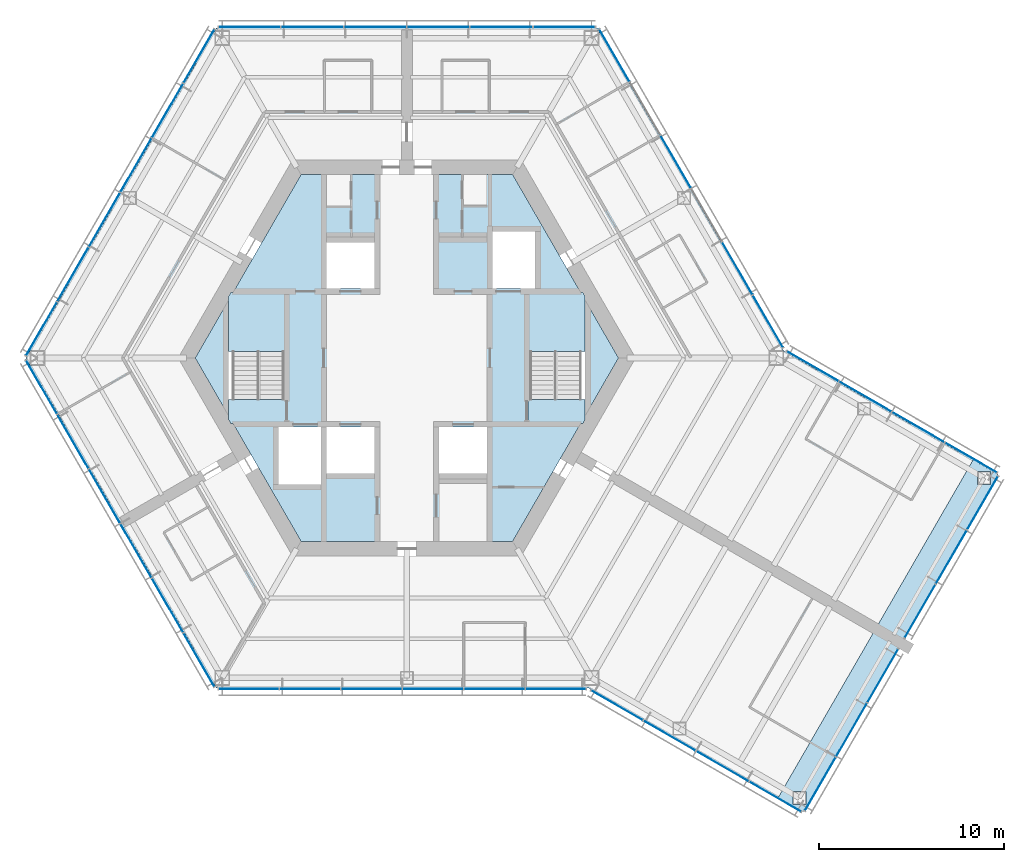
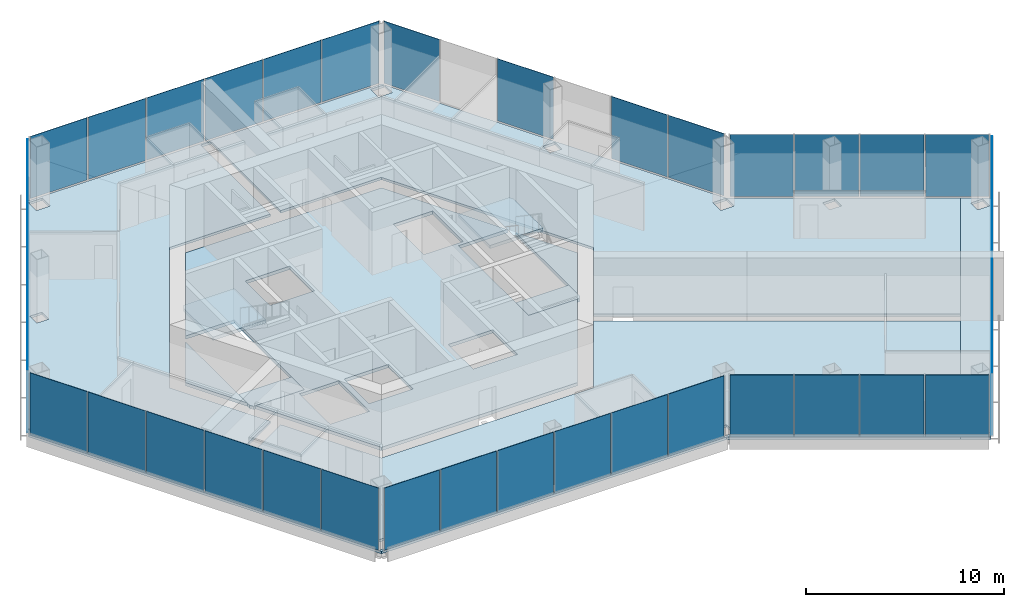
# One storey, part 8 of 15: 42 plates, 9 slabs, 11 elements without a shape of their own.
"""IFC4 building model written with IfcOpenShell, lengths in metres."""

from ifc_helpers import new_model, si_unit, direction, frame, origin, origin_2d, place, context, subcontext, project, spatial, polyline, rectangle, outline, extrude, material, layer, layer_set, type_object, element, aggregate, save


model = new_model("IFC4")

# Units and contexts
model_context = context("Model", 3, precision=1e-05, world=origin(), true_north=direction((0.0, 1.0)))
body_context = subcontext(model_context, "Body", "Model", "MODEL_VIEW")
ifc_project = project(units=[si_unit("LENGTHUNIT", "METRE"), si_unit("AREAUNIT", "SQUARE_METRE"), si_unit("VOLUMEUNIT", "CUBIC_METRE"), si_unit("PLANEANGLEUNIT", "RADIAN"), si_unit("MASSUNIT", "GRAM", prefix="KILO")], contexts=[model_context])

# Site, building, storey
site_placement = place(None, origin())
site = spatial("IfcSite", under=ifc_project, at=site_placement, CompositionType="ELEMENT")
building_placement = place(site_placement, origin())
building = spatial("IfcBuilding", under=site, at=building_placement, Name="Kasaneha Research Tower", CompositionType="ELEMENT")
storey_placement = place(building_placement, frame((0.0, 0.0, 236.199951171875)))
storey = spatial("IfcBuildingStorey", under=building, at=storey_placement, Name="L59", CompositionType="ELEMENT", Elevation=236.199951171875)

# Curtain wall, plates
ifc_material_1 = material(Name="Glass and aluminium", Category="aluminium")
curtain_wall_type = type_object("IfcCurtainWallType", Name="High-rise office curtain wall", PredefinedType="USERDEFINED", material=ifc_material_1)
curtain_wall_1_placement = place(storey_placement, origin())
curtain_wall_1 = element("IfcCurtainWall", 1, at=curtain_wall_1_placement, inside=storey, type_object=curtain_wall_type, Name="CW-O3 L59 run 01a", ObjectType="UNITISED CURTAIN WALL", PredefinedType="USERDEFINED")
ifc_material_2 = material(Name="Laminated double glazing", Category="glass")
ifc_layer_1 = layer(ifc_material_2, 0.02392578125)
ifc_layer_set_1 = layer_set([ifc_layer_1], Name="CW-O3 glazed panel")
plate_type = type_object("IfcPlateType", Name="CW-O3 glazed panel", PredefinedType="CURTAIN_PANEL", material=ifc_layer_set_1)
plate_1_placement = place(storey_placement, frame((19.549072265625, 1.981201171875, 0.06005859375), z_axis=(0.0, 0.0, 1.0), x_axis=(-0.499999979232, 0.866025415775, 0.0)))
plate_1 = element("IfcPlate", 2, at=plate_1_placement, type_object=plate_type, Name="CW-O3 panel 1", PredefinedType="CURTAIN_PANEL", context=body_context, shape_type="SweptSolid", body=[
    extrude(rectangle(XDim=3.240966796875, YDim=0.02392578125, at=origin_2d()), origin(), (0.0, 0.0, 1.0), 3.840087890625),
])
plate_2_placement = place(storey_placement, frame((17.89111328125, 4.852783203125, 0.06005859375), z_axis=(0.0, 0.0, 1.0), x_axis=(-0.499999979232, 0.866025415775, 0.0)))
plate_2 = element("IfcPlate", 3, at=plate_2_placement, type_object=plate_type, Name="CW-O3 panel 2", PredefinedType="CURTAIN_PANEL", context=body_context, shape_type="SweptSolid", body=[
    extrude(rectangle(XDim=3.27099609375, YDim=0.02392578125, at=origin_2d()), origin(), (0.0, 0.0, 1.0), 3.840087890625),
])
plate_3_placement = place(storey_placement, frame((14.56005859375, 10.622314453125, 0.06005859375), z_axis=(0.0, 0.0, 1.0), x_axis=(-0.499999979232, 0.866025415775, 0.0)))
plate_3 = element("IfcPlate", 4, at=plate_3_placement, type_object=plate_type, Name="CW-O3 panel 4", PredefinedType="CURTAIN_PANEL", context=body_context, shape_type="SweptSolid", body=[
    extrude(rectangle(XDim=3.27099609375, YDim=0.02392578125, at=origin_2d()), origin(), (0.0, 0.0, 1.0), 3.840087890625),
])
plate_4_placement = place(storey_placement, frame((11.236572265625, 16.378662109375, 0.06005859375), z_axis=(0.0, 0.0, 1.0), x_axis=(-0.499999979232, 0.866025415775, 0.0)))
plate_4 = element("IfcPlate", 5, at=plate_4_placement, type_object=plate_type, Name="CW-O3 panel 6", PredefinedType="CURTAIN_PANEL", context=body_context, shape_type="SweptSolid", body=[
    extrude(rectangle(XDim=3.240966796875, YDim=0.02392578125, at=origin_2d()), origin(), (0.0, 0.0, 1.0), 3.840087890625),
])
aggregate(curtain_wall_1, [plate_1, plate_2, plate_3, plate_4])

curtain_wall_2_placement = place(storey_placement, origin())
curtain_wall_2 = element("IfcCurtainWall", 6, at=curtain_wall_2_placement, inside=storey, type_object=curtain_wall_type, Name="CW-O3 L59 run 02a", ObjectType="UNITISED CURTAIN WALL", PredefinedType="USERDEFINED")
plate_5_placement = place(storey_placement, frame((8.523681640625, 17.92041015625, 0.06005859375), z_axis=(0.0, 0.0, 1.0), x_axis=(-1.0, 0.0, 0.0)))
plate_5 = element("IfcPlate", 7, at=plate_5_placement, type_object=plate_type, Name="CW-O3 panel 1", PredefinedType="CURTAIN_PANEL", context=body_context, shape_type="SweptSolid", body=[
    extrude(rectangle(XDim=3.325439453125, YDim=0.02392578125, at=origin_2d()), origin(), (0.0, 0.0, 1.0), 3.840087890625),
])
plate_6_placement = place(storey_placement, frame((5.123291015625, 17.92041015625, 0.06005859375), z_axis=(0.0, 0.0, 1.0), x_axis=(-1.0, 0.0, 0.0)))
plate_6 = element("IfcPlate", 8, at=plate_6_placement, type_object=plate_type, Name="CW-O3 panel 2", PredefinedType="CURTAIN_PANEL", context=body_context, shape_type="SweptSolid", body=[
    extrude(rectangle(XDim=3.35546875, YDim=0.02392578125, at=origin_2d()), origin(), (0.0, 0.0, 1.0), 3.840087890625),
])
plate_7_placement = place(storey_placement, frame((1.707763671875, 17.92041015625, 0.06005859375), z_axis=(0.0, 0.0, 1.0), x_axis=(-1.0, 0.0, 0.0)))
plate_7 = element("IfcPlate", 9, at=plate_7_placement, type_object=plate_type, Name="CW-O3 panel 3", PredefinedType="CURTAIN_PANEL", context=body_context, shape_type="SweptSolid", body=[
    extrude(rectangle(XDim=3.35546875, YDim=0.02392578125, at=origin_2d()), origin(), (0.0, 0.0, 1.0), 3.840087890625),
])
plate_8_placement = place(storey_placement, frame((-1.707763671875, 17.92041015625, 0.06005859375), z_axis=(0.0, 0.0, 1.0), x_axis=(-1.0, 0.0, 0.0)))
plate_8 = element("IfcPlate", 10, at=plate_8_placement, type_object=plate_type, Name="CW-O3 panel 4", PredefinedType="CURTAIN_PANEL", context=body_context, shape_type="SweptSolid", body=[
    extrude(rectangle(XDim=3.35546875, YDim=0.02392578125, at=origin_2d()), origin(), (0.0, 0.0, 1.0), 3.840087890625),
])
plate_9_placement = place(storey_placement, frame((-5.123291015625, 17.92041015625, 0.06005859375), z_axis=(0.0, 0.0, 1.0), x_axis=(-1.0, 0.0, 0.0)))
plate_9 = element("IfcPlate", 11, at=plate_9_placement, type_object=plate_type, Name="CW-O3 panel 5", PredefinedType="CURTAIN_PANEL", context=body_context, shape_type="SweptSolid", body=[
    extrude(rectangle(XDim=3.35546875, YDim=0.02392578125, at=origin_2d()), origin(), (0.0, 0.0, 1.0), 3.840087890625),
])
plate_10_placement = place(storey_placement, frame((-8.523681640625, 17.92041015625, 0.06005859375), z_axis=(0.0, 0.0, 1.0), x_axis=(-1.0, 0.0, 0.0)))
plate_10 = element("IfcPlate", 12, at=plate_10_placement, type_object=plate_type, Name="CW-O3 panel 6", PredefinedType="CURTAIN_PANEL", context=body_context, shape_type="SweptSolid", body=[
    extrude(rectangle(XDim=3.325439453125, YDim=0.02392578125, at=origin_2d()), origin(), (0.0, 0.0, 1.0), 3.840087890625),
])
aggregate(curtain_wall_2, [plate_5, plate_6, plate_7, plate_8, plate_9, plate_10])

curtain_wall_3_placement = place(storey_placement, origin())
curtain_wall_3 = element("IfcCurtainWall", 13, at=curtain_wall_3_placement, inside=storey, type_object=curtain_wall_type, Name="CW-O3 L59 run 03a", ObjectType="UNITISED CURTAIN WALL", PredefinedType="USERDEFINED")
plate_11_placement = place(storey_placement, frame((-11.2578125, 16.342041015625, 0.06005859375), z_axis=(0.0, 0.0, 1.0), x_axis=(-0.499999995722, -0.866025406254, 0.0)))
plate_11 = element("IfcPlate", 14, at=plate_11_placement, type_object=plate_type, Name="CW-O3 panel 1", PredefinedType="CURTAIN_PANEL", context=body_context, shape_type="SweptSolid", body=[
    extrude(rectangle(XDim=3.325439453125, YDim=0.02392578125, at=origin_2d()), origin(), (0.0, 0.0, 1.0), 3.840087890625),
])
plate_12_placement = place(storey_placement, frame((-12.9580078125, 13.39697265625, 0.06005859375), z_axis=(0.0, 0.0, 1.0), x_axis=(-0.499999995722, -0.866025406254, 0.0)))
plate_12 = element("IfcPlate", 15, at=plate_12_placement, type_object=plate_type, Name="CW-O3 panel 2", PredefinedType="CURTAIN_PANEL", context=body_context, shape_type="SweptSolid", body=[
    extrude(rectangle(XDim=3.35546875, YDim=0.02392578125, at=origin_2d()), origin(), (0.0, 0.0, 1.0), 3.840087890625),
])
plate_13_placement = place(storey_placement, frame((-14.665771484375, 10.439208984375, 0.06005859375), z_axis=(0.0, 0.0, 1.0), x_axis=(-0.499999995722, -0.866025406254, 0.0)))
plate_13 = element("IfcPlate", 16, at=plate_13_placement, type_object=plate_type, Name="CW-O3 panel 3", PredefinedType="CURTAIN_PANEL", context=body_context, shape_type="SweptSolid", body=[
    extrude(rectangle(XDim=3.35546875, YDim=0.02392578125, at=origin_2d()), origin(), (0.0, 0.0, 1.0), 3.840087890625),
])
plate_14_placement = place(storey_placement, frame((-16.37353515625, 7.481201171875, 0.06005859375), z_axis=(0.0, 0.0, 1.0), x_axis=(-0.499999995722, -0.866025406254, 0.0)))
plate_14 = element("IfcPlate", 17, at=plate_14_placement, type_object=plate_type, Name="CW-O3 panel 4", PredefinedType="CURTAIN_PANEL", context=body_context, shape_type="SweptSolid", body=[
    extrude(rectangle(XDim=3.35546875, YDim=0.02392578125, at=origin_2d()), origin(), (0.0, 0.0, 1.0), 3.840087890625),
])
plate_15_placement = place(storey_placement, frame((-18.081298828125, 4.5234375, 0.06005859375), z_axis=(0.0, 0.0, 1.0), x_axis=(-0.499999995722, -0.866025406254, 0.0)))
plate_15 = element("IfcPlate", 18, at=plate_15_placement, type_object=plate_type, Name="CW-O3 panel 5", PredefinedType="CURTAIN_PANEL", context=body_context, shape_type="SweptSolid", body=[
    extrude(rectangle(XDim=3.35546875, YDim=0.02392578125, at=origin_2d()), origin(), (0.0, 0.0, 1.0), 3.840087890625),
])
plate_16_placement = place(storey_placement, frame((-19.781494140625, 1.57861328125, 0.06005859375), z_axis=(0.0, 0.0, 1.0), x_axis=(-0.499999995722, -0.866025406254, 0.0)))
plate_16 = element("IfcPlate", 19, at=plate_16_placement, type_object=plate_type, Name="CW-O3 panel 6", PredefinedType="CURTAIN_PANEL", context=body_context, shape_type="SweptSolid", body=[
    extrude(rectangle(XDim=3.325439453125, YDim=0.02392578125, at=origin_2d()), origin(), (0.0, 0.0, 1.0), 3.840087890625),
])
aggregate(curtain_wall_3, [plate_11, plate_12, plate_13, plate_14, plate_15, plate_16])

curtain_wall_4_placement = place(storey_placement, origin())
curtain_wall_4 = element("IfcCurtainWall", 20, at=curtain_wall_4_placement, inside=storey, type_object=curtain_wall_type, Name="CW-O3 L59 run 04a", ObjectType="UNITISED CURTAIN WALL", PredefinedType="USERDEFINED")
plate_17_placement = place(storey_placement, frame((-19.781494140625, -1.57861328125, 0.06005859375), z_axis=(0.0, 0.0, 1.0), x_axis=(0.499999995722, -0.866025406254, 0.0)))
plate_17 = element("IfcPlate", 21, at=plate_17_placement, type_object=plate_type, Name="CW-O3 panel 1", PredefinedType="CURTAIN_PANEL", context=body_context, shape_type="SweptSolid", body=[
    extrude(rectangle(XDim=3.325439453125, YDim=0.02392578125, at=origin_2d()), origin(), (0.0, 0.0, 1.0), 3.840087890625),
])
plate_18_placement = place(storey_placement, frame((-18.081298828125, -4.5234375, 0.06005859375), z_axis=(0.0, 0.0, 1.0), x_axis=(0.499999995722, -0.866025406254, 0.0)))
plate_18 = element("IfcPlate", 22, at=plate_18_placement, type_object=plate_type, Name="CW-O3 panel 2", PredefinedType="CURTAIN_PANEL", context=body_context, shape_type="SweptSolid", body=[
    extrude(rectangle(XDim=3.35546875, YDim=0.02392578125, at=origin_2d()), origin(), (0.0, 0.0, 1.0), 3.840087890625),
])
plate_19_placement = place(storey_placement, frame((-16.37353515625, -7.481201171875, 0.06005859375), z_axis=(0.0, 0.0, 1.0), x_axis=(0.499999995722, -0.866025406254, 0.0)))
plate_19 = element("IfcPlate", 23, at=plate_19_placement, type_object=plate_type, Name="CW-O3 panel 3", PredefinedType="CURTAIN_PANEL", context=body_context, shape_type="SweptSolid", body=[
    extrude(rectangle(XDim=3.35546875, YDim=0.02392578125, at=origin_2d()), origin(), (0.0, 0.0, 1.0), 3.840087890625),
])
plate_20_placement = place(storey_placement, frame((-14.665771484375, -10.439208984375, 0.06005859375), z_axis=(0.0, 0.0, 1.0), x_axis=(0.499999995722, -0.866025406254, 0.0)))
plate_20 = element("IfcPlate", 24, at=plate_20_placement, type_object=plate_type, Name="CW-O3 panel 4", PredefinedType="CURTAIN_PANEL", context=body_context, shape_type="SweptSolid", body=[
    extrude(rectangle(XDim=3.35546875, YDim=0.02392578125, at=origin_2d()), origin(), (0.0, 0.0, 1.0), 3.840087890625),
])
plate_21_placement = place(storey_placement, frame((-12.9580078125, -13.39697265625, 0.06005859375), z_axis=(0.0, 0.0, 1.0), x_axis=(0.499999995722, -0.866025406254, 0.0)))
plate_21 = element("IfcPlate", 25, at=plate_21_placement, type_object=plate_type, Name="CW-O3 panel 5", PredefinedType="CURTAIN_PANEL", context=body_context, shape_type="SweptSolid", body=[
    extrude(rectangle(XDim=3.35546875, YDim=0.02392578125, at=origin_2d()), origin(), (0.0, 0.0, 1.0), 3.840087890625),
])
plate_22_placement = place(storey_placement, frame((-11.2578125, -16.342041015625, 0.06005859375), z_axis=(0.0, 0.0, 1.0), x_axis=(0.499999995722, -0.866025406254, 0.0)))
plate_22 = element("IfcPlate", 26, at=plate_22_placement, type_object=plate_type, Name="CW-O3 panel 6", PredefinedType="CURTAIN_PANEL", context=body_context, shape_type="SweptSolid", body=[
    extrude(rectangle(XDim=3.325439453125, YDim=0.02392578125, at=origin_2d()), origin(), (0.0, 0.0, 1.0), 3.840087890625),
])
aggregate(curtain_wall_4, [plate_17, plate_18, plate_19, plate_20, plate_21, plate_22])

curtain_wall_5_placement = place(storey_placement, origin())
curtain_wall_5 = element("IfcCurtainWall", 27, at=curtain_wall_5_placement, inside=storey, type_object=curtain_wall_type, Name="CW-O3 L59 run 05a", ObjectType="UNITISED CURTAIN WALL", PredefinedType="USERDEFINED")
plate_23_placement = place(storey_placement, frame((-8.56591796875, -17.92041015625, 0.06005859375), z_axis=(0.0, 0.0, 1.0), x_axis=(1.0, 0.0, 0.0)))
plate_23 = element("IfcPlate", 28, at=plate_23_placement, type_object=plate_type, Name="CW-O3 panel 1", PredefinedType="CURTAIN_PANEL", context=body_context, shape_type="SweptSolid", body=[
    extrude(rectangle(XDim=3.240966796875, YDim=0.02392578125, at=origin_2d()), origin(), (0.0, 0.0, 1.0), 3.840087890625),
])
plate_24_placement = place(storey_placement, frame((-5.25, -17.92041015625, 0.06005859375), z_axis=(0.0, 0.0, 1.0), x_axis=(1.0, 0.0, 0.0)))
plate_24 = element("IfcPlate", 29, at=plate_24_placement, type_object=plate_type, Name="CW-O3 panel 2", PredefinedType="CURTAIN_PANEL", context=body_context, shape_type="SweptSolid", body=[
    extrude(rectangle(XDim=3.27099609375, YDim=0.02392578125, at=origin_2d()), origin(), (0.0, 0.0, 1.0), 3.840087890625),
])
plate_25_placement = place(storey_placement, frame((-1.9189453125, -17.92041015625, 0.06005859375), z_axis=(0.0, 0.0, 1.0), x_axis=(1.0, 0.0, 0.0)))
plate_25 = element("IfcPlate", 30, at=plate_25_placement, type_object=plate_type, Name="CW-O3 panel 3", PredefinedType="CURTAIN_PANEL", context=body_context, shape_type="SweptSolid", body=[
    extrude(rectangle(XDim=3.27099609375, YDim=0.02392578125, at=origin_2d()), origin(), (0.0, 0.0, 1.0), 3.840087890625),
])
plate_26_placement = place(storey_placement, frame((1.411865234375, -17.92041015625, 0.06005859375), z_axis=(0.0, 0.0, 1.0), x_axis=(1.0, 0.0, 0.0)))
plate_26 = element("IfcPlate", 31, at=plate_26_placement, type_object=plate_type, Name="CW-O3 panel 4", PredefinedType="CURTAIN_PANEL", context=body_context, shape_type="SweptSolid", body=[
    extrude(rectangle(XDim=3.27099609375, YDim=0.02392578125, at=origin_2d()), origin(), (0.0, 0.0, 1.0), 3.840087890625),
])
plate_27_placement = place(storey_placement, frame((4.742919921875, -17.92041015625, 0.06005859375), z_axis=(0.0, 0.0, 1.0), x_axis=(1.0, 0.0, 0.0)))
plate_27 = element("IfcPlate", 32, at=plate_27_placement, type_object=plate_type, Name="CW-O3 panel 5", PredefinedType="CURTAIN_PANEL", context=body_context, shape_type="SweptSolid", body=[
    extrude(rectangle(XDim=3.27099609375, YDim=0.02392578125, at=origin_2d()), origin(), (0.0, 0.0, 1.0), 3.840087890625),
])
plate_28_placement = place(storey_placement, frame((8.058837890625, -17.92041015625, 0.06005859375), z_axis=(0.0, 0.0, 1.0), x_axis=(1.0, 0.0, 0.0)))
plate_28 = element("IfcPlate", 33, at=plate_28_placement, type_object=plate_type, Name="CW-O3 panel 6", PredefinedType="CURTAIN_PANEL", context=body_context, shape_type="SweptSolid", body=[
    extrude(rectangle(XDim=3.240966796875, YDim=0.02392578125, at=origin_2d()), origin(), (0.0, 0.0, 1.0), 3.840087890625),
])
aggregate(curtain_wall_5, [plate_23, plate_24, plate_25, plate_26, plate_27, plate_28])

curtain_wall_6_placement = place(storey_placement, origin())
curtain_wall_6 = element("IfcCurtainWall", 34, at=curtain_wall_6_placement, inside=storey, type_object=curtain_wall_type, Name="CW-O3 L59 run 06a", ObjectType="UNITISED CURTAIN WALL", PredefinedType="USERDEFINED")
plate_29_placement = place(storey_placement, frame((11.3720703125, -18.805419921875, 0.06005859375), z_axis=(0.0, 0.0, 1.0), x_axis=(0.866025411464, -0.499999986699, 0.0)))
plate_29 = element("IfcPlate", 35, at=plate_29_placement, type_object=plate_type, Name="CW-O3 panel 1", PredefinedType="CURTAIN_PANEL", context=body_context, shape_type="SweptSolid", body=[
    extrude(rectangle(XDim=3.2197265625, YDim=0.02392578125, at=origin_2d()), origin(), (0.0, 0.0, 1.0), 3.840087890625),
])
plate_30_placement = place(storey_placement, frame((14.225341796875, -20.452880859375, 0.06005859375), z_axis=(0.0, 0.0, 1.0), x_axis=(0.866025411464, -0.499999986699, 0.0)))
plate_30 = element("IfcPlate", 36, at=plate_30_placement, type_object=plate_type, Name="CW-O3 panel 2", PredefinedType="CURTAIN_PANEL", context=body_context, shape_type="SweptSolid", body=[
    extrude(rectangle(XDim=3.249755859375, YDim=0.02392578125, at=origin_2d()), origin(), (0.0, 0.0, 1.0), 3.840087890625),
])
plate_31_placement = place(storey_placement, frame((17.091796875, -22.107666015625, 0.06005859375), z_axis=(0.0, 0.0, 1.0), x_axis=(0.866025411464, -0.499999986699, 0.0)))
plate_31 = element("IfcPlate", 37, at=plate_31_placement, type_object=plate_type, Name="CW-O3 panel 3", PredefinedType="CURTAIN_PANEL", context=body_context, shape_type="SweptSolid", body=[
    extrude(rectangle(XDim=3.249755859375, YDim=0.02392578125, at=origin_2d()), origin(), (0.0, 0.0, 1.0), 3.840087890625),
])
plate_32_placement = place(storey_placement, frame((19.945068359375, -23.755126953125, 0.06005859375), z_axis=(0.0, 0.0, 1.0), x_axis=(0.866025411464, -0.499999986699, 0.0)))
plate_32 = element("IfcPlate", 38, at=plate_32_placement, type_object=plate_type, Name="CW-O3 panel 4", PredefinedType="CURTAIN_PANEL", context=body_context, shape_type="SweptSolid", body=[
    extrude(rectangle(XDim=3.2197265625, YDim=0.02392578125, at=origin_2d()), origin(), (0.0, 0.0, 1.0), 3.840087890625),
])
aggregate(curtain_wall_6, [plate_29, plate_30, plate_31, plate_32])

curtain_wall_7_placement = place(storey_placement, origin())
curtain_wall_7 = element("IfcCurtainWall", 39, at=curtain_wall_7_placement, inside=storey, type_object=curtain_wall_type, Name="CW-O3 L59 run 07a", ObjectType="UNITISED CURTAIN WALL", PredefinedType="USERDEFINED")
plate_33_placement = place(storey_placement, frame((22.385498046875, -23.068359375, 0.06005859375), z_axis=(0.0, 0.0, 1.0), x_axis=(0.500000011442, 0.866025397178, 0.0)))
plate_33 = element("IfcPlate", 40, at=plate_33_placement, type_object=plate_type, Name="CW-O3 panel 1", PredefinedType="CURTAIN_PANEL", context=body_context, shape_type="SweptSolid", body=[
    extrude(rectangle(XDim=3.31005859375, YDim=0.02392578125, at=origin_2d()), origin(), (0.0, 0.0, 1.0), 3.840087890625),
])
plate_34_placement = place(storey_placement, frame((24.077880859375, -20.13671875, 0.06005859375), z_axis=(0.0, 0.0, 1.0), x_axis=(0.500000011442, 0.866025397178, 0.0)))
plate_34 = element("IfcPlate", 41, at=plate_34_placement, type_object=plate_type, Name="CW-O3 panel 2", PredefinedType="CURTAIN_PANEL", context=body_context, shape_type="SweptSolid", body=[
    extrude(rectangle(XDim=3.340087890625, YDim=0.02392578125, at=origin_2d()), origin(), (0.0, 0.0, 1.0), 3.840087890625),
])
plate_35_placement = place(storey_placement, frame((25.7705078125, -17.205322265625, 0.06005859375), z_axis=(0.0, 0.0, 1.0), x_axis=(0.500000011442, 0.866025397178, 0.0)))
plate_35 = element("IfcPlate", 42, at=plate_35_placement, type_object=plate_type, Name="CW-O3 panel 3", PredefinedType="CURTAIN_PANEL", context=body_context, shape_type="SweptSolid", body=[
    extrude(rectangle(XDim=3.31005859375, YDim=0.02392578125, at=origin_2d()), origin(), (0.0, 0.0, 1.0), 3.840087890625),
])
aggregate(curtain_wall_7, [plate_33, plate_34, plate_35])

curtain_wall_8_placement = place(storey_placement, origin())
curtain_wall_8 = element("IfcCurtainWall", 43, at=curtain_wall_8_placement, inside=storey, type_object=curtain_wall_type, Name="CW-O3 L59 run 08a", ObjectType="UNITISED CURTAIN WALL", PredefinedType="USERDEFINED")
plate_36_placement = place(storey_placement, frame((27.785400390625, -13.71533203125, 0.06005859375), z_axis=(0.0, 0.0, 1.0), x_axis=(0.500000011442, 0.866025397178, 0.0)))
plate_36 = element("IfcPlate", 44, at=plate_36_placement, type_object=plate_type, Name="CW-O3 panel 1", PredefinedType="CURTAIN_PANEL", context=body_context, shape_type="SweptSolid", body=[
    extrude(rectangle(XDim=3.31005859375, YDim=0.02392578125, at=origin_2d()), origin(), (0.0, 0.0, 1.0), 3.840087890625),
])
plate_37_placement = place(storey_placement, frame((29.47802734375, -10.78369140625, 0.06005859375), z_axis=(0.0, 0.0, 1.0), x_axis=(0.500000011442, 0.866025397178, 0.0)))
plate_37 = element("IfcPlate", 45, at=plate_37_placement, type_object=plate_type, Name="CW-O3 panel 2", PredefinedType="CURTAIN_PANEL", context=body_context, shape_type="SweptSolid", body=[
    extrude(rectangle(XDim=3.340087890625, YDim=0.02392578125, at=origin_2d()), origin(), (0.0, 0.0, 1.0), 3.840087890625),
])
plate_38_placement = place(storey_placement, frame((31.17041015625, -7.852294921875, 0.06005859375), z_axis=(0.0, 0.0, 1.0), x_axis=(0.500000011442, 0.866025397178, 0.0)))
plate_38 = element("IfcPlate", 46, at=plate_38_placement, type_object=plate_type, Name="CW-O3 panel 3", PredefinedType="CURTAIN_PANEL", context=body_context, shape_type="SweptSolid", body=[
    extrude(rectangle(XDim=3.31005859375, YDim=0.02392578125, at=origin_2d()), origin(), (0.0, 0.0, 1.0), 3.840087890625),
])
aggregate(curtain_wall_8, [plate_36, plate_37, plate_38])

curtain_wall_9_placement = place(storey_placement, origin())
curtain_wall_9 = element("IfcCurtainWall", 47, at=curtain_wall_9_placement, inside=storey, type_object=curtain_wall_type, Name="CW-O3 L59 run 09a", ObjectType="UNITISED CURTAIN WALL", PredefinedType="USERDEFINED")
plate_39_placement = place(storey_placement, frame((30.545166015625, -5.3955078125, 0.06005859375), z_axis=(0.0, 0.0, 1.0), x_axis=(-0.866025411464, 0.499999986699, 0.0)))
plate_39 = element("IfcPlate", 48, at=plate_39_placement, type_object=plate_type, Name="CW-O3 panel 1", PredefinedType="CURTAIN_PANEL", context=body_context, shape_type="SweptSolid", body=[
    extrude(rectangle(XDim=3.2197265625, YDim=0.02392578125, at=origin_2d()), origin(), (0.0, 0.0, 1.0), 3.840087890625),
])
plate_40_placement = place(storey_placement, frame((27.69189453125, -3.748046875, 0.06005859375), z_axis=(0.0, 0.0, 1.0), x_axis=(-0.866025411464, 0.499999986699, 0.0)))
plate_40 = element("IfcPlate", 49, at=plate_40_placement, type_object=plate_type, Name="CW-O3 panel 2", PredefinedType="CURTAIN_PANEL", context=body_context, shape_type="SweptSolid", body=[
    extrude(rectangle(XDim=3.249755859375, YDim=0.02392578125, at=origin_2d()), origin(), (0.0, 0.0, 1.0), 3.840087890625),
])
plate_41_placement = place(storey_placement, frame((24.825439453125, -2.093017578125, 0.06005859375), z_axis=(0.0, 0.0, 1.0), x_axis=(-0.866025411464, 0.499999986699, 0.0)))
plate_41 = element("IfcPlate", 50, at=plate_41_placement, type_object=plate_type, Name="CW-O3 panel 3", PredefinedType="CURTAIN_PANEL", context=body_context, shape_type="SweptSolid", body=[
    extrude(rectangle(XDim=3.249755859375, YDim=0.02392578125, at=origin_2d()), origin(), (0.0, 0.0, 1.0), 3.840087890625),
])
plate_42_placement = place(storey_placement, frame((21.971923828125, -0.44580078125, 0.06005859375), z_axis=(0.0, 0.0, 1.0), x_axis=(-0.866025411464, 0.499999986699, 0.0)))
plate_42 = element("IfcPlate", 51, at=plate_42_placement, type_object=plate_type, Name="CW-O3 panel 4", PredefinedType="CURTAIN_PANEL", context=body_context, shape_type="SweptSolid", body=[
    extrude(rectangle(XDim=3.2197265625, YDim=0.02392578125, at=origin_2d()), origin(), (0.0, 0.0, 1.0), 3.840087890625),
])
aggregate(curtain_wall_9, [plate_39, plate_40, plate_41, plate_42])

# Slabs
ifc_material_3 = material(Name="Concrete Fc24", Category="concrete")
ifc_layer_2 = layer(ifc_material_3, 0.199951171875)
ifc_layer_set_2 = layer_set([ifc_layer_2], Name="Core floor slab 200")
slab_type_1 = type_object("IfcSlabType", Name="Core floor slab 200", PredefinedType="FLOOR", material=ifc_layer_set_2)
slab_1_placement = place(storey_placement, frame((0.0, 0.0, -0.199951171875)))
element("IfcSlab", 52, at=slab_1_placement, inside=storey, type_object=slab_type_1, Name="Core slab L59", PredefinedType="FLOOR", context=body_context, shape_type="SweptSolid", body=[
    extrude(outline(polyline([(-11.46044921875, 0.0), (-9.64990234375, 3.1357421875), (-9.64990234375, -3.1357421875), (-11.46044921875, 0.0)])), origin(), (0.0, 0.0, 1.0), 0.199951171875),
])
slab_2_placement = place(storey_placement, frame((0.0, 0.0, -0.199951171875)))
element("IfcSlab", 53, at=slab_2_placement, inside=storey, type_object=slab_type_1, Name="Core slab L59", PredefinedType="FLOOR", context=body_context, shape_type="SweptSolid", body=[
    extrude(outline(polyline([(-5.730224609375, 9.925048828125), (5.730224609375, 9.925048828125), (9.410888671875, 3.550048828125), (6.550048828125, 3.550048828125), (6.550048828125, -3.550048828125), (9.410888671875, -3.550048828125), (5.730224609375, -9.925048828125), (-5.730224609375, -9.925048828125), (-9.410888671875, -3.550048828125), (-6.550048828125, -3.550048828125), (-6.550048828125, 3.550048828125), (-9.410888671875, 3.550048828125), (-5.730224609375, 9.925048828125)]), holes=[polyline([(-6.949951171875, -6.85009765625), (-4.64990234375, -6.85009765625), (-4.64990234375, -3.75), (-6.949951171875, -3.75), (-6.949951171875, -6.85009765625)]), polyline([(-4.35009765625, -3.75), (-4.35009765625, -6.25), (-1.75, -6.25), (-1.75, -3.75), (-4.35009765625, -3.75)]), polyline([(1.75, -3.75), (1.75, -6.25), (4.35009765625, -6.25), (4.35009765625, -3.75), (1.75, -3.75)]), polyline([(-4.35009765625, 6.25), (-4.35009765625, 3.75), (-1.75, 3.75), (-1.75, 6.25), (-4.35009765625, 6.25)]), polyline([(4.64990234375, 6.85009765625), (4.64990234375, 3.75), (6.949951171875, 3.75), (6.949951171875, 6.85009765625), (4.64990234375, 6.85009765625)])]), origin(), (0.0, 0.0, 1.0), 0.199951171875),
])
slab_3_placement = place(storey_placement, frame((0.0, 0.0, -0.199951171875)))
element("IfcSlab", 54, at=slab_3_placement, inside=storey, type_object=slab_type_1, Name="Core slab L59", PredefinedType="FLOOR", context=body_context, shape_type="SweptSolid", body=[
    extrude(outline(polyline([(11.46044921875, 0.0), (9.64990234375, -3.1357421875), (9.64990234375, 3.1357421875), (11.46044921875, 0.0)])), origin(), (0.0, 0.0, 1.0), 0.199951171875),
])
ifc_material_4 = material(Name="Concrete Fc24", Category="concrete")
ifc_layer_3 = layer(ifc_material_4, 0.14990234375)
ifc_layer_set_3 = layer_set([ifc_layer_3], Name="Floor slab 150")
slab_type_2 = type_object("IfcSlabType", Name="Floor slab 150", PredefinedType="FLOOR", material=ifc_layer_set_3)
slab_4_placement = place(storey_placement, frame((0.0, 0.0, -0.14990234375)))
element("IfcSlab", 55, at=slab_4_placement, inside=storey, type_object=slab_type_2, Name="Floor slab L59 1", PredefinedType="FLOOR", context=body_context, shape_type="SweptSolid", body=[
    extrude(outline(polyline([(-10.317626953125, -17.87060546875), (-10.3974609375, -17.732177734375), (-10.385986328125, -17.720703125), (-9.599853515625, -17.720703125), (-9.599853515625, -16.92041015625), (-10.400146484375, -16.92041015625), (-10.400146484375, -17.70654296875), (-10.40771484375, -17.714111328125), (-20.635009765625, 0.0), (-20.40771484375, 0.3935546875), (-20.400146484375, 0.385986328125), (-20.400146484375, -0.400146484375), (-19.599853515625, -0.400146484375), (-19.599853515625, 0.400146484375), (-20.385986328125, 0.400146484375), (-20.3974609375, 0.41162109375), (-10.40771484375, 17.714111328125), (-10.400146484375, 17.70654296875), (-10.400146484375, 16.92041015625), (-9.599853515625, 16.92041015625), (-9.599853515625, 17.720703125), (-10.385986328125, 17.720703125), (-10.3974609375, 17.732177734375), (-10.317626953125, 17.87060546875), (10.317626953125, 17.87060546875), (10.3974609375, 17.732177734375), (10.385986328125, 17.720703125), (9.599853515625, 17.720703125), (9.599853515625, 16.92041015625), (10.400146484375, 16.92041015625), (10.400146484375, 17.70654296875), (10.40771484375, 17.714111328125), (20.3974609375, 0.41162109375), (20.385986328125, 0.400146484375), (19.599853515625, 0.400146484375), (19.599853515625, -0.400146484375), (20.400146484375, -0.400146484375), (20.400146484375, 0.385986328125), (20.41162109375, 0.3974609375), (30.65869140625, -5.518798828125), (25.53369140625, -14.3955078125), (9.438232421875, -5.102783203125), (12.38427734375, 0.0), (6.192138671875, 10.72509765625), (0.300048828125, 10.72509765625), (0.300048828125, 17.7705078125), (-0.300048828125, 17.7705078125), (-0.300048828125, 10.72509765625), (-6.192138671875, 10.72509765625), (-12.38427734375, 0.0), (-9.438232421875, -5.102783203125), (-15.539794921875, -8.62548828125), (-15.23974609375, -9.14501953125), (-9.13818359375, -5.622314453125), (-6.192138671875, -10.72509765625), (6.192138671875, -10.72509765625), (9.13818359375, -5.622314453125), (25.233642578125, -14.9150390625), (20.108642578125, -23.791748046875), (9.8525390625, -17.87060546875), (-10.317626953125, -17.87060546875)]), holes=[polyline([(-0.35009765625, -17.67041015625), (0.35009765625, -17.67041015625), (0.35009765625, -16.970458984375), (-0.35009765625, -16.970458984375), (-0.35009765625, -17.67041015625)]), polyline([(-15.35009765625, 8.310302734375), (-14.64990234375, 8.310302734375), (-14.64990234375, 9.01025390625), (-15.35009765625, 9.01025390625), (-15.35009765625, 8.310302734375)]), polyline([(14.4130859375, -20.42041015625), (15.113037109375, -20.42041015625), (15.113037109375, -19.720458984375), (14.4130859375, -19.720458984375), (14.4130859375, -20.42041015625)]), polyline([(9.60009765625, -17.720458984375), (10.39990234375, -17.720458984375), (10.39990234375, -16.92041015625), (9.60009765625, -16.92041015625), (9.60009765625, -17.720458984375)]), polyline([(24.4130859375, -3.10009765625), (25.113037109375, -3.10009765625), (25.113037109375, -2.39990234375), (24.4130859375, -2.39990234375), (24.4130859375, -3.10009765625)]), polyline([(14.64990234375, 9.01025390625), (14.64990234375, 8.310302734375), (15.35009765625, 8.310302734375), (15.35009765625, 9.01025390625), (14.64990234375, 9.01025390625)])]), origin(), (0.0, 0.0, 1.0), 0.14990234375),
])
slab_5_placement = place(storey_placement, frame((0.0, 0.0, -0.14990234375)))
element("IfcSlab", 56, at=slab_5_placement, inside=storey, type_object=slab_type_2, Name="Floor slab L59 2", PredefinedType="FLOOR", context=body_context, shape_type="SweptSolid", body=[
    extrude(outline(polyline([(32.009521484375, -6.298583984375), (21.459716796875, -24.57177734375), (20.108642578125, -23.791748046875), (25.233642578125, -14.9150390625), (25.2421875, -14.920166015625), (25.542236328125, -14.400390625), (25.53369140625, -14.3955078125), (30.65869140625, -5.518798828125), (32.009521484375, -6.298583984375)]), holes=[polyline([(20.908447265625, -24.17041015625), (21.6083984375, -24.17041015625), (21.6083984375, -23.470458984375), (20.908447265625, -23.470458984375), (20.908447265625, -24.17041015625)]), polyline([(30.908447265625, -6.85009765625), (31.6083984375, -6.85009765625), (31.6083984375, -6.14990234375), (30.908447265625, -6.14990234375), (30.908447265625, -6.85009765625)])]), origin(), (0.0, 0.0, 1.0), 0.14990234375),
])

# Stair, slabs
ifc_material_5 = material(Name="Concrete Fc24", Category="concrete")
stair_type = type_object("IfcStairType", Name="Half-turn stair 22 risers", PredefinedType="HALF_TURN_STAIR", material=ifc_material_5)
stair_1_placement = place(storey_placement, origin())
stair_1 = element("IfcStair", 57, at=stair_1_placement, inside=storey, type_object=stair_type, Name="Stair 1 L59", PredefinedType="HALF_TURN_STAIR")
ifc_material_6 = material(Name="Concrete Fc24", Category="concrete")
ifc_layer_4 = layer(ifc_material_6, 0.199951171875)
ifc_layer_set_4 = layer_set([ifc_layer_4], Name="Stair 1 landing 200")
slab_type_3 = type_object("IfcSlabType", Name="Stair 1 landing 200", PredefinedType="LANDING", material=ifc_layer_set_4)
slab_6_placement = place(storey_placement, frame((0.0, 0.0, -0.199951171875)))
slab_6 = element("IfcSlab", 58, at=slab_6_placement, type_object=slab_type_3, Name="ST1-22R landing 1", PredefinedType="LANDING", context=body_context, shape_type="SweptSolid", body=[
    extrude(outline(polyline([(9.5263671875, -3.550048828125), (6.550048828125, -3.550048828125), (6.550048828125, -2.25), (9.64990234375, -2.25), (9.64990234375, -3.335693359375), (9.5263671875, -3.550048828125)])), origin(), (0.0, 0.0, 1.0), 0.199951171875),
])
slab_7_placement = place(storey_placement, frame((0.0, 0.0, 1.75)))
slab_7 = element("IfcSlab", 59, at=slab_7_placement, type_object=slab_type_3, Name="ST1-22R landing 2", PredefinedType="LANDING", context=body_context, shape_type="SweptSolid", body=[
    extrude(outline(polyline([(6.550048828125, 3.550048828125), (9.5263671875, 3.550048828125), (9.64990234375, 3.335693359375), (9.64990234375, 0.35009765625), (6.550048828125, 0.35009765625), (6.550048828125, 3.550048828125)])), origin(), (0.0, 0.0, 1.0), 0.199951171875),
])
aggregate(stair_1, [slab_6, slab_7])

stair_2_placement = place(storey_placement, origin())
stair_2 = element("IfcStair", 60, at=stair_2_placement, inside=storey, type_object=stair_type, Name="Stair 2 L59", PredefinedType="HALF_TURN_STAIR")
ifc_material_7 = material(Name="Concrete Fc24", Category="concrete")
ifc_layer_5 = layer(ifc_material_7, 0.199951171875)
ifc_layer_set_5 = layer_set([ifc_layer_5], Name="Stair 2 landing 200")
slab_type_4 = type_object("IfcSlabType", Name="Stair 2 landing 200", PredefinedType="LANDING", material=ifc_layer_set_5)
slab_8_placement = place(storey_placement, frame((0.0, 0.0, -0.199951171875)))
slab_8 = element("IfcSlab", 61, at=slab_8_placement, type_object=slab_type_4, Name="ST2-22R landing 1", PredefinedType="LANDING", context=body_context, shape_type="SweptSolid", body=[
    extrude(outline(polyline([(-6.550048828125, -3.550048828125), (-9.5263671875, -3.550048828125), (-9.64990234375, -3.335693359375), (-9.64990234375, -2.25), (-6.550048828125, -2.25), (-6.550048828125, -3.550048828125)])), origin(), (0.0, 0.0, 1.0), 0.199951171875),
])
slab_9_placement = place(storey_placement, frame((0.0, 0.0, 1.75)))
slab_9 = element("IfcSlab", 62, at=slab_9_placement, type_object=slab_type_4, Name="ST2-22R landing 2", PredefinedType="LANDING", context=body_context, shape_type="SweptSolid", body=[
    extrude(outline(polyline([(-6.550048828125, 0.35009765625), (-9.64990234375, 0.35009765625), (-9.64990234375, 3.335693359375), (-9.5263671875, 3.550048828125), (-6.550048828125, 3.550048828125), (-6.550048828125, 0.35009765625)])), origin(), (0.0, 0.0, 1.0), 0.199951171875),
])
aggregate(stair_2, [slab_8, slab_9])

save(model, "model.ifc")
